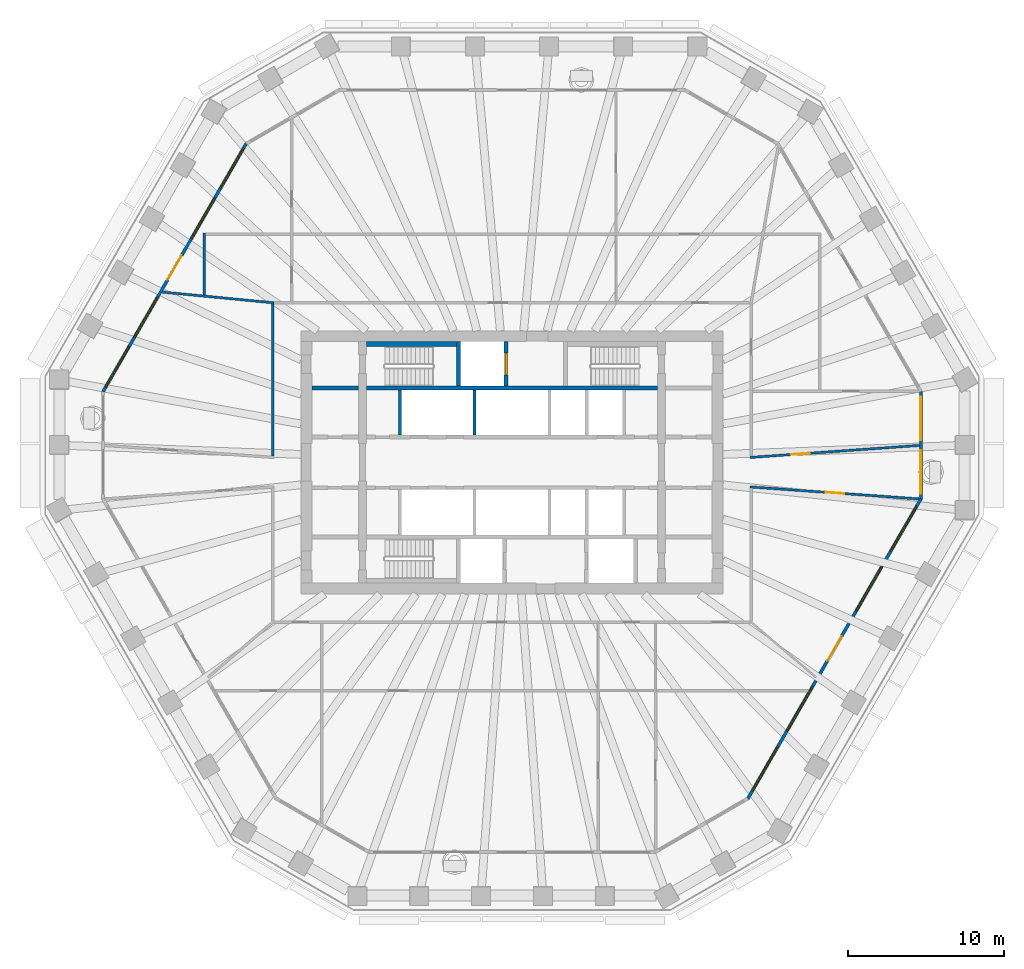
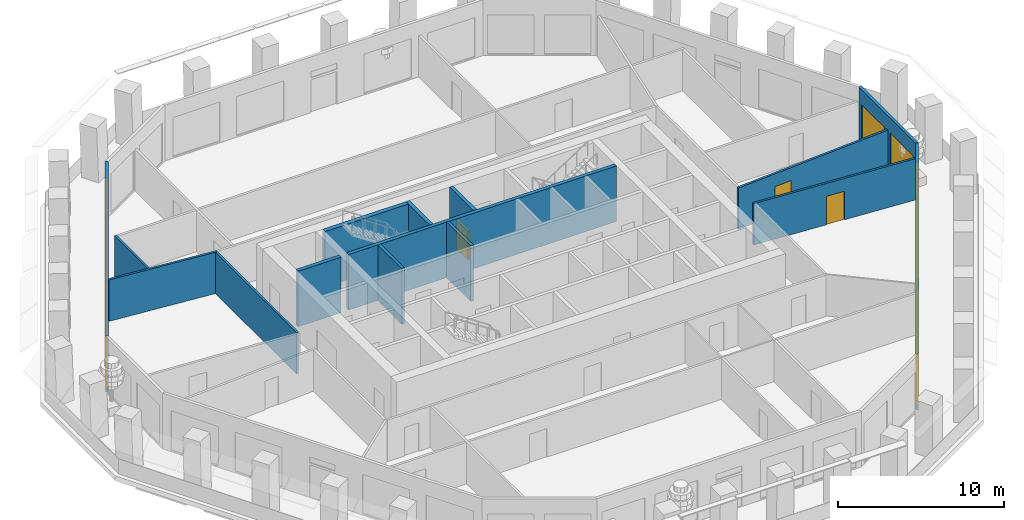
# One storey, part 6 of 12: 15 walls, 12 windows, 5 doors, 17 openings.
"""IFC4 building model written with IfcOpenShell, lengths in metres."""

from ifc_helpers import new_model, si_unit, direction, frame, frame_2d, origin, place, context, subcontext, project, spatial, polyline, rectangle, outline, extrude, material, layer, layer_set, type_object, element, fill, save


model = new_model("IFC4")

# Units and contexts
model_context = context("Model", 3, precision=1e-05, world=origin(), true_north=direction((0.0, 1.0)))
body_context = subcontext(model_context, "Body", "Model", "MODEL_VIEW")
ifc_project = project(units=[si_unit("LENGTHUNIT", "METRE"), si_unit("AREAUNIT", "SQUARE_METRE"), si_unit("VOLUMEUNIT", "CUBIC_METRE"), si_unit("PLANEANGLEUNIT", "RADIAN"), si_unit("MASSUNIT", "GRAM", prefix="KILO")], contexts=[model_context])

# Site, building, storey
site_placement = place(None, origin())
site = spatial("IfcSite", under=ifc_project, at=site_placement, CompositionType="ELEMENT")
building_placement = place(site_placement, origin())
building = spatial("IfcBuilding", under=site, at=building_placement, Name="Frailejon Research Tower", CompositionType="ELEMENT")
storey_placement = place(building_placement, frame((0.0, 0.0, 180.39990234375)))
storey = spatial("IfcBuildingStorey", under=building, at=storey_placement, Name="L39", CompositionType="ELEMENT", Elevation=180.39990234375)

# Wall
ifc_material_1 = material(Name="Gypsum board and masonry partition", Category="masonry")
ifc_layer_1 = layer(ifc_material_1, 0.14990234375)
ifc_layer_set_1 = layer_set([ifc_layer_1], Name="Corridor wall EI 60, gypsum on steel studs 150")
wall_type_1 = type_object("IfcWallType", Name="Corridor wall EI 60, gypsum on steel studs 150", PredefinedType="PARTITIONING", material=ifc_layer_set_1)
wall_1_placement = place(storey_placement, frame((-15.35009765625, 0.399169921875, 0.0), z_axis=(0.0, 0.0, 1.0), x_axis=(0.0, 1.0, 0.0)))
element("IfcWall", 1, at=wall_1_placement, inside=storey, type_object=wall_type_1, Name="T:IW:L39:005", PredefinedType="PARTITIONING", context=body_context, shape_type="SweptSolid", body=[
    extrude(rectangle(XDim=9.77587890625, YDim=0.14990234375, at=frame_2d((4.887939453125, 0.0))), origin(), (0.0, 0.0, 1.0), 3.050048828125),
])

# Wall, opening, door
wall_2_placement = place(storey_placement, frame((15.275146484375, 0.31884765625, 0.0), z_axis=(0.0, 0.0, 1.0), x_axis=(0.997482737811, 0.070909715615, 0.0)))
wall_2 = element("IfcWall", 2, at=wall_2_placement, inside=storey, type_object=wall_type_1, Name="T:IW:L39:009", PredefinedType="PARTITIONING", context=body_context, shape_type="SweptSolid", body=[
    extrude(rectangle(XDim=10.90380859375, YDim=0.14990234375, at=frame_2d((5.451904296875, 0.0))), origin(), (0.0, 0.0, 1.0), 3.050048828125),
])
opening_1_placement = place(wall_2_placement, frame((2.6572265625, 0.0, 0.0)))
opening_1 = element("IfcOpeningElement", 3, at=opening_1_placement, cuts=wall_2, Name="Opening D1843", PredefinedType="OPENING", context=body_context, shape_type="SweptSolid", body=[
    extrude(rectangle(XDim=1.199951171875, YDim=2.10009765625, at=frame_2d((0.60009765625, 1.050048828125))), frame((0.0, 0.0849609375, 0.0), z_axis=(0.0, -1.0, 0.0), x_axis=(1.0, 0.0, 0.0)), (0.0, 0.0, 1.0), 0.169921875),
])
ifc_material_2 = material(Name="Timber door leaf", Category="wood")
door_type_1 = type_object("IfcDoorType", Name="Door laboratory, timber, vision panel 1200", OperationType="NOTDEFINED", PredefinedType="DOOR", material=ifc_material_2)
door_1_placement = place(opening_1_placement, origin())
door_1 = element("IfcDoor", 4, at=door_1_placement, inside=storey, type_object=door_type_1, Name="D1843", OperationType="DOUBLE_DOOR_SINGLE_SWING", OverallHeight=2.10009765625, OverallWidth=1.199951171875, PredefinedType="DOOR", context=body_context, shape_type="SweptSolid", body=[
    extrude(rectangle(XDim=1.199951171875, YDim=2.10009765625, at=frame_2d((0.60009765625, 1.050048828125))), frame((0.0, 0.02490234375, 0.0), z_axis=(0.0, -1.0, 0.0), x_axis=(1.0, 0.0, 0.0)), (0.0, 0.0, 1.0), 0.050048828125),
])
fill(opening_1, door_1)

wall_3_placement = place(storey_placement, frame((15.275146484375, -1.570556640625, 0.0), z_axis=(0.0, 0.0, 1.0), x_axis=(0.997483693062, -0.07089627688, 0.0)))
wall_3 = element("IfcWall", 5, at=wall_3_placement, inside=storey, type_object=wall_type_1, Name="T:IW:L39:010", PredefinedType="PARTITIONING", context=body_context, shape_type="SweptSolid", body=[
    extrude(rectangle(XDim=10.8818359375, YDim=0.14990234375, at=frame_2d((5.44091796875, 0.0))), origin(), (0.0, 0.0, 1.0), 3.050048828125),
])
opening_2_placement = place(wall_3_placement, frame((4.87841796875, 0.0, 0.0)))
opening_2 = element("IfcOpeningElement", 6, at=opening_2_placement, cuts=wall_3, Name="Opening D1862", PredefinedType="OPENING", context=body_context, shape_type="SweptSolid", body=[
    extrude(rectangle(XDim=1.199951171875, YDim=2.10009765625, at=frame_2d((0.60009765625, 1.050048828125))), frame((0.0, 0.0849609375, 0.0), z_axis=(0.0, -1.0, 0.0), x_axis=(1.0, 0.0, 0.0)), (0.0, 0.0, 1.0), 0.169921875),
])
ifc_material_3 = material(Name="Timber door leaf", Category="wood")
door_type_2 = type_object("IfcDoorType", Name="Door single leaf, timber, steel frame 1200", OperationType="NOTDEFINED", PredefinedType="DOOR", material=ifc_material_3)
door_2_placement = place(opening_2_placement, origin())
door_2 = element("IfcDoor", 7, at=door_2_placement, inside=storey, type_object=door_type_2, Name="D1862", OperationType="DOUBLE_DOOR_SINGLE_SWING", OverallHeight=2.10009765625, OverallWidth=1.199951171875, PredefinedType="DOOR", context=body_context, shape_type="SweptSolid", body=[
    extrude(rectangle(XDim=1.199951171875, YDim=2.10009765625, at=frame_2d((0.60009765625, 1.050048828125))), frame((0.0, 0.02490234375, 0.0), z_axis=(0.0, -1.0, 0.0), x_axis=(1.0, 0.0, 0.0)), (0.0, 0.0, 1.0), 0.050048828125),
])
fill(opening_2, door_2)

# Walls
ifc_material_4 = material(Name="Gypsum board and masonry partition", Category="masonry")
ifc_layer_2 = layer(ifc_material_4, 0.14990234375)
ifc_layer_set_2 = layer_set([ifc_layer_2], Name="Laboratory partition, blockwork 150")
wall_type_2 = type_object("IfcWallType", Name="Laboratory partition, blockwork 150", PredefinedType="PARTITIONING", material=ifc_layer_set_2)
wall_4_placement = place(storey_placement, frame((-19.75, 10.75, 0.0), z_axis=(0.0, 0.0, 1.0), x_axis=(0.0, 1.0, 0.0)))
element("IfcWall", 8, at=wall_4_placement, inside=storey, type_object=wall_type_2, Name="T:IW:L39:017", PredefinedType="PARTITIONING", context=body_context, shape_type="SweptSolid", body=[
    extrude(rectangle(XDim=3.97509765625, YDim=0.14990234375, at=frame_2d((1.987548828125, 0.0))), origin(), (0.0, 0.0, 1.0), 3.050048828125),
])
wall_5_placement = place(storey_placement, frame((-22.445556640625, 10.935302734375, 0.0), z_axis=(0.0, 0.0, 1.0), x_axis=(0.995370012711, -0.096117312678, 0.0)))
element("IfcWall", 9, at=wall_5_placement, inside=storey, type_object=wall_type_2, Name="T:IW:L39:018", PredefinedType="PARTITIONING", context=body_context, shape_type="SweptSolid", body=[
    extrude(rectangle(XDim=7.20361328125, YDim=0.14990234375, at=frame_2d((3.601806640625, 0.0))), origin(), (0.0, 0.0, 1.0), 3.050048828125),
])
ifc_material_5 = material(Name="Concrete C60/75", Category="concrete")
ifc_layer_3 = layer(ifc_material_5, 0.199951171875)
ifc_layer_set_3 = layer_set([ifc_layer_3], Name="Shaft wall 200 C60/75")
wall_type_3 = type_object("IfcWallType", Name="Shaft wall 200 C60/75", PredefinedType="SOLIDWALL", material=ifc_layer_set_3)
for number, where, z_axis, x_axis, name in (
    (10, (-7.199951171875, 1.75, 0.0), (0.0, 0.0, 1.0), (0.0, 1.0, 0.0), "Shaft wall"),
    (11, (-2.39990234375, 1.75, 0.0), (0.0, 0.0, 1.0), (0.0, 1.0, 0.0), "Shaft wall"),
):
    element("IfcWall", number, at=place(storey_placement, frame(where, z_axis=z_axis, x_axis=x_axis)), inside=storey, type_object=wall_type_3, Name=name, PredefinedType="SOLIDWALL", context=body_context, shape_type="SweptSolid", body=[
        extrude(rectangle(XDim=2.89990234375, YDim=0.199951171875, at=frame_2d((1.449951171875, 0.0))), origin(), (0.0, 0.0, 1.0), 4.10009765625),
    ])
ifc_material_6 = material(Name="Concrete C60/75", Category="concrete")
ifc_layer_4 = layer(ifc_material_6, 0.25)
ifc_layer_set_4 = layer_set([ifc_layer_4], Name="Shaft wall 250 C60/75")
wall_type_4 = type_object("IfcWallType", Name="Shaft wall 250 C60/75", PredefinedType="SOLIDWALL", material=ifc_layer_set_4)
wall_6_placement = place(storey_placement, frame((-12.85009765625, 4.77490234375, 0.0), z_axis=(0.0, 0.0, 1.0), x_axis=(1.0, 0.0, 0.0)))
element("IfcWall", 12, at=wall_6_placement, inside=storey, type_object=wall_type_4, Name="Shaft wall", PredefinedType="SOLIDWALL", context=body_context, shape_type="SweptSolid", body=[
    extrude(rectangle(XDim=3.0, YDim=0.25, at=frame_2d((1.5, 0.0))), origin(), (0.0, 0.0, 1.0), 4.10009765625),
])
wall_7_placement = place(storey_placement, frame((-9.35009765625, 4.77490234375, 0.0), z_axis=(0.0, 0.0, 1.0), x_axis=(1.0, 0.0, 0.0)))
element("IfcWall", 13, at=wall_7_placement, inside=storey, type_object=wall_type_4, Name="Shaft wall", PredefinedType="SOLIDWALL", context=body_context, shape_type="SweptSolid", body=[
    extrude(rectangle(XDim=18.7001953125, YDim=0.25, at=frame_2d((9.35009765625, 0.0))), origin(), (0.0, 0.0, 1.0), 4.10009765625),
])
wall_8_placement = place(storey_placement, frame((-3.425048828125, 4.89990234375, 0.0), z_axis=(0.0, 0.0, 1.0), x_axis=(0.0, 1.0, 0.0)))
element("IfcWall", 14, at=wall_8_placement, inside=storey, type_object=wall_type_4, Name="Shaft wall", PredefinedType="SOLIDWALL", context=body_context, shape_type="SweptSolid", body=[
    extrude(rectangle(XDim=2.85009765625, YDim=0.25, at=frame_2d((1.425048828125, 0.0))), origin(), (0.0, 0.0, 1.0), 4.10009765625),
])

# Wall, opening, door
wall_9_placement = place(storey_placement, frame((-0.375, 4.89990234375, 0.0), z_axis=(0.0, 0.0, 1.0), x_axis=(0.0, 1.0, 0.0)))
wall_9 = element("IfcWall", 15, at=wall_9_placement, inside=storey, type_object=wall_type_4, Name="Shaft wall", PredefinedType="SOLIDWALL", context=body_context, shape_type="SweptSolid", body=[
    extrude(rectangle(XDim=2.85009765625, YDim=0.25, at=frame_2d((1.425048828125, 0.0))), origin(), (0.0, 0.0, 1.0), 4.10009765625),
])
opening_3_placement = place(wall_9_placement, frame((0.72509765625, 0.0, 0.0)))
opening_3 = element("IfcOpeningElement", 16, at=opening_3_placement, cuts=wall_9, Name="Opening LD2", PredefinedType="OPENING", context=body_context, shape_type="SweptSolid", body=[
    extrude(rectangle(XDim=1.39990234375, YDim=2.10009765625, at=frame_2d((0.699951171875, 1.050048828125))), frame((0.0, 0.135009765625, 0.0), z_axis=(0.0, -1.0, 0.0), x_axis=(1.0, 0.0, 0.0)), (0.0, 0.0, 1.0), 0.27001953125),
])
ifc_material_7 = material(Name="Stainless steel", Category="steel")
door_type_3 = type_object("IfcDoorType", Name="Goods landing door", OperationType="DOUBLE_DOOR_SLIDING", PredefinedType="DOOR", material=ifc_material_7)
door_3_placement = place(opening_3_placement, origin())
door_3 = element("IfcDoor", 17, at=door_3_placement, inside=storey, type_object=door_type_3, Name="Lift landing door", OperationType="DOUBLE_DOOR_SLIDING", OverallHeight=2.10009765625, OverallWidth=1.39990234375, PredefinedType="DOOR", context=body_context, shape_type="SweptSolid", body=[
    extrude(rectangle(XDim=1.39990234375, YDim=2.10009765625, at=frame_2d((0.699951171875, 1.050048828125))), frame((0.0, 0.074951171875, 0.0), z_axis=(0.0, -1.0, 0.0), x_axis=(1.0, 0.0, 0.0)), (0.0, 0.0, 1.0), 0.14990234375),
])
fill(opening_3, door_3)

# Wall
ifc_material_8 = material(Name="Concrete C60/75", Category="concrete")
ifc_layer_5 = layer(ifc_material_8, 0.300048828125)
ifc_layer_set_5 = layer_set([ifc_layer_5], Name="Shaft wall 300 C60/75")
wall_type_5 = type_object("IfcWallType", Name="Shaft wall 300 C60/75", PredefinedType="SOLIDWALL", material=ifc_layer_set_5)
wall_10_placement = place(storey_placement, frame((-9.35009765625, 7.60009765625, 0.0), z_axis=(0.0, 0.0, 1.0), x_axis=(1.0, 0.0, 0.0)))
element("IfcWall", 18, at=wall_10_placement, inside=storey, type_object=wall_type_5, Name="Shaft wall", PredefinedType="SOLIDWALL", context=body_context, shape_type="SweptSolid", body=[
    extrude(rectangle(XDim=5.800048828125, YDim=0.300048828125, at=frame_2d((2.89990234375, 0.0))), origin(), (0.0, 0.0, 1.0), 4.10009765625),
])

# Wall, openings, windows
ifc_material_9 = material(Name="Concrete C40/50 precast window wall panel", Category="concrete")
ifc_layer_6 = layer(ifc_material_9, 0.199951171875)
ifc_layer_set_6 = layer_set([ifc_layer_6], Name="Window wall 200")
wall_type_6 = type_object("IfcWallType", Name="Window wall 200", PredefinedType="SOLIDWALL", material=ifc_layer_set_6)
wall_11_placement = place(storey_placement, frame((26.25146484375, -2.3310546875, 0.0), z_axis=(0.0, 0.0, 1.0), x_axis=(0.0, 1.0, 0.0)))
wall_11 = element("IfcWall", 19, at=wall_11_placement, inside=storey, type_object=wall_type_6, Name="Exterior wall L39", PredefinedType="SOLIDWALL", context=body_context, shape_type="SweptSolid", body=[
    extrude(outline(polyline([(-0.02685546875, -0.10009765625), (1.1279296875, -0.10009765625), (2.282470703125, -0.10009765625), (3.437255859375, -0.10009765625), (4.592041015625, -0.10009765625), (5.74658203125, -0.10009765625), (6.9013671875, -0.10009765625), (6.84765625, 0.10009765625), (5.7109375, 0.10009765625), (4.573974609375, 0.10009765625), (3.437255859375, 0.10009765625), (2.300537109375, 0.10009765625), (1.16357421875, 0.10009765625), (0.02685546875, 0.10009765625), (-0.02685546875, -0.10009765625)])), origin(), (0.0, 0.0, 1.0), 4.10009765625),
])
opening_4_placement = place(wall_11_placement, frame((0.318603515625, 0.0, 0.10009765625)))
opening_4 = element("IfcOpeningElement", 20, at=opening_4_placement, cuts=wall_11, Name="Opening W3", PredefinedType="OPENING", context=body_context, shape_type="SweptSolid", body=[
    extrude(rectangle(XDim=2.800048828125, YDim=2.89990234375, at=frame_2d((1.39990234375, 1.449951171875))), frame((0.0, 0.10986328125, 0.0), z_axis=(0.0, -1.0, 0.0), x_axis=(1.0, 0.0, 0.0)), (0.0, 0.0, 1.0), 0.219970703125),
])
opening_5_placement = place(wall_11_placement, frame((3.756103515625, 0.0, 0.10009765625)))
opening_5 = element("IfcOpeningElement", 21, at=opening_5_placement, cuts=wall_11, Name="Opening W3", PredefinedType="OPENING", context=body_context, shape_type="SweptSolid", body=[
    extrude(rectangle(XDim=2.800048828125, YDim=2.89990234375, at=frame_2d((1.39990234375, 1.449951171875))), frame((0.0, 0.10986328125, 0.0), z_axis=(0.0, -1.0, 0.0), x_axis=(1.0, 0.0, 0.0)), (0.0, 0.0, 1.0), 0.219970703125),
])
ifc_material_10 = material(Name="Aluminium framed double glazing", Category="aluminium")
window_type_1 = type_object("IfcWindowType", Name="Window 2800x2900", PartitioningType="SINGLE_PANEL", PredefinedType="WINDOW", material=ifc_material_10)
window_1_placement = place(opening_4_placement, origin())
window_1 = element("IfcWindow", 22, at=window_1_placement, inside=storey, type_object=window_type_1, Name="Window L39", OverallHeight=2.89990234375, OverallWidth=2.800048828125, PartitioningType="SINGLE_PANEL", PredefinedType="WINDOW", context=body_context, shape_type="SweptSolid", body=[
    extrude(rectangle(XDim=2.800048828125, YDim=2.89990234375, at=frame_2d((1.39990234375, 1.449951171875))), frame((0.0, 0.030029296875, 0.0), z_axis=(0.0, -1.0, 0.0), x_axis=(1.0, 0.0, 0.0)), (0.0, 0.0, 1.0), 0.06005859375),
])
fill(opening_4, window_1)
window_2_placement = place(opening_5_placement, origin())
window_2 = element("IfcWindow", 23, at=window_2_placement, inside=storey, type_object=window_type_1, Name="Window L39", OverallHeight=2.89990234375, OverallWidth=2.800048828125, PartitioningType="SINGLE_PANEL", PredefinedType="WINDOW", context=body_context, shape_type="SweptSolid", body=[
    extrude(rectangle(XDim=2.800048828125, YDim=2.89990234375, at=frame_2d((1.39990234375, 1.449951171875))), frame((0.0, 0.030029296875, 0.0), z_axis=(0.0, -1.0, 0.0), x_axis=(1.0, 0.0, 0.0)), (0.0, 0.0, 1.0), 0.06005859375),
])
fill(opening_5, window_2)

# Wall, openings, door, windows
wall_12_placement = place(storey_placement, frame((-17.060546875, 20.462646484375, 0.0), z_axis=(0.0, 0.0, 1.0), x_axis=(-0.499998761798, -0.866026118659, 0.0)))
wall_12 = element("IfcWall", 24, at=wall_12_placement, inside=storey, type_object=wall_type_6, Name="Exterior wall L39", PredefinedType="SOLIDWALL", context=body_context, shape_type="SweptSolid", body=[
    extrude(outline(polyline([(-0.02685546875, -0.10009765625), (0.997314453125, -0.10009765625), (2.021484375, -0.10009765625), (3.045654296875, -0.10009765625), (4.06982421875, -0.10009765625), (5.09423828125, -0.10009765625), (6.118408203125, -0.10009765625), (7.142578125, -0.10009765625), (8.166748046875, -0.10009765625), (9.19091796875, -0.10009765625), (10.215087890625, -0.10009765625), (11.2392578125, -0.10009765625), (12.263427734375, -0.10009765625), (13.28759765625, -0.10009765625), (14.31201171875, -0.10009765625), (15.336181640625, -0.10009765625), (16.3603515625, -0.10009765625), (17.384521484375, -0.10009765625), (18.40869140625, -0.10009765625), (18.35498046875, 0.10009765625), (17.336669921875, 0.10009765625), (16.318603515625, 0.10009765625), (15.30029296875, 0.10009765625), (14.281982421875, 0.10009765625), (13.263916015625, 0.10009765625), (12.24560546875, 0.10009765625), (11.227294921875, 0.10009765625), (10.209228515625, 0.10009765625), (9.19091796875, 0.10009765625), (8.172607421875, 0.10009765625), (7.154541015625, 0.10009765625), (6.13623046875, 0.10009765625), (5.117919921875, 0.10009765625), (4.099853515625, 0.10009765625), (3.08154296875, 0.10009765625), (2.063232421875, 0.10009765625), (1.045166015625, 0.10009765625), (0.02685546875, 0.10009765625), (-0.02685546875, -0.10009765625)])), origin(), (0.0, 0.0, 1.0), 4.10009765625),
])
opening_6_placement = place(wall_12_placement, frame((0.338134765625, 0.0, 0.10009765625)))
opening_6 = element("IfcOpeningElement", 25, at=opening_6_placement, cuts=wall_12, Name="Opening W4", PredefinedType="OPENING", context=body_context, shape_type="SweptSolid", body=[
    extrude(rectangle(XDim=3.0, YDim=2.89990234375, at=frame_2d((1.5, 1.449951171875))), frame((0.0, 0.10986328125, 0.0), z_axis=(0.0, -1.0, 0.0), x_axis=(1.0, 0.0, 0.0)), (0.0, 0.0, 1.0), 0.219970703125),
])
opening_7_placement = place(wall_12_placement, frame((4.0146484375, 0.0, 0.10009765625)))
opening_7 = element("IfcOpeningElement", 26, at=opening_7_placement, cuts=wall_12, Name="Opening W4", PredefinedType="OPENING", context=body_context, shape_type="SweptSolid", body=[
    extrude(rectangle(XDim=3.0, YDim=2.89990234375, at=frame_2d((1.5, 1.449951171875))), frame((0.0, 0.10986328125, 0.0), z_axis=(0.0, -1.0, 0.0), x_axis=(1.0, 0.0, 0.0)), (0.0, 0.0, 1.0), 0.219970703125),
])
opening_8_placement = place(wall_12_placement, frame((8.291015625, 0.0, 0.0)))
opening_8 = element("IfcOpeningElement", 27, at=opening_8_placement, cuts=wall_12, Name="Opening LG39-3", PredefinedType="OPENING", context=body_context, shape_type="SweptSolid", body=[
    extrude(rectangle(XDim=1.800048828125, YDim=2.39990234375, at=frame_2d((0.89990234375, 1.199951171875))), frame((0.0, 0.10986328125, 0.0), z_axis=(0.0, -1.0, 0.0), x_axis=(1.0, 0.0, 0.0)), (0.0, 0.0, 1.0), 0.219970703125),
])
opening_9_placement = place(wall_12_placement, frame((8.291015625, 0.0, 2.550048828125)))
opening_9 = element("IfcOpeningElement", 28, at=opening_9_placement, cuts=wall_12, Name="Opening W1", PredefinedType="OPENING", context=body_context, shape_type="SweptSolid", body=[
    extrude(rectangle(XDim=1.800048828125, YDim=0.449951171875, at=frame_2d((0.89990234375, 0.22509765625))), frame((0.0, 0.10986328125, 0.0), z_axis=(0.0, -1.0, 0.0), x_axis=(1.0, 0.0, 0.0)), (0.0, 0.0, 1.0), 0.219970703125),
])
opening_10_placement = place(wall_12_placement, frame((11.3671875, 0.0, 0.10009765625)))
opening_10 = element("IfcOpeningElement", 29, at=opening_10_placement, cuts=wall_12, Name="Opening W4", PredefinedType="OPENING", context=body_context, shape_type="SweptSolid", body=[
    extrude(rectangle(XDim=3.0, YDim=2.89990234375, at=frame_2d((1.5, 1.449951171875))), frame((0.0, 0.10986328125, 0.0), z_axis=(0.0, -1.0, 0.0), x_axis=(1.0, 0.0, 0.0)), (0.0, 0.0, 1.0), 0.219970703125),
])
opening_11_placement = place(wall_12_placement, frame((15.043701171875, 0.0, 0.10009765625)))
opening_11 = element("IfcOpeningElement", 30, at=opening_11_placement, cuts=wall_12, Name="Opening W4", PredefinedType="OPENING", context=body_context, shape_type="SweptSolid", body=[
    extrude(rectangle(XDim=3.0, YDim=2.89990234375, at=frame_2d((1.5, 1.449951171875))), frame((0.0, 0.10986328125, 0.0), z_axis=(0.0, -1.0, 0.0), x_axis=(1.0, 0.0, 0.0)), (0.0, 0.0, 1.0), 0.219970703125),
])
ifc_material_11 = material(Name="Aluminium framed glazed door leaf", Category="aluminium")
door_type_4 = type_object("IfcDoorType", Name="Loggia door 1800x2400", OperationType="DOUBLE_DOOR_SINGLE_SWING", PredefinedType="DOOR", material=ifc_material_11)
door_4_placement = place(opening_8_placement, origin())
door_4 = element("IfcDoor", 31, at=door_4_placement, inside=storey, type_object=door_type_4, Name="Door LG39-3", OperationType="DOUBLE_DOOR_SINGLE_SWING", OverallHeight=2.39990234375, OverallWidth=1.800048828125, PredefinedType="DOOR", context=body_context, shape_type="SweptSolid", body=[
    extrude(rectangle(XDim=1.800048828125, YDim=2.39990234375, at=frame_2d((0.89990234375, 1.199951171875))), frame((0.0, 0.02490234375, 0.0), z_axis=(0.0, -1.0, 0.0), x_axis=(1.0, 0.0, 0.0)), (0.0, 0.0, 1.0), 0.050048828125),
])
fill(opening_8, door_4)
ifc_material_12 = material(Name="Aluminium framed double glazing", Category="aluminium")
window_type_2 = type_object("IfcWindowType", Name="Window 1800x450", PartitioningType="SINGLE_PANEL", PredefinedType="WINDOW", material=ifc_material_12)
window_3_placement = place(opening_9_placement, origin())
window_3 = element("IfcWindow", 32, at=window_3_placement, inside=storey, type_object=window_type_2, Name="Window L39", OverallHeight=0.449951171875, OverallWidth=1.800048828125, PartitioningType="SINGLE_PANEL", PredefinedType="WINDOW", context=body_context, shape_type="SweptSolid", body=[
    extrude(rectangle(XDim=1.800048828125, YDim=0.449951171875, at=frame_2d((0.89990234375, 0.22509765625))), frame((0.0, 0.030029296875, 0.0), z_axis=(0.0, -1.0, 0.0), x_axis=(1.0, 0.0, 0.0)), (0.0, 0.0, 1.0), 0.06005859375),
])
fill(opening_9, window_3)
ifc_material_13 = material(Name="Aluminium framed double glazing", Category="aluminium")
window_type_3 = type_object("IfcWindowType", Name="Window 3000x2900", PartitioningType="SINGLE_PANEL", PredefinedType="WINDOW", material=ifc_material_13)
window_4_placement = place(opening_6_placement, origin())
window_4 = element("IfcWindow", 33, at=window_4_placement, inside=storey, type_object=window_type_3, Name="Window L39", OverallHeight=2.89990234375, OverallWidth=3.0, PartitioningType="SINGLE_PANEL", PredefinedType="WINDOW", context=body_context, shape_type="SweptSolid", body=[
    extrude(rectangle(XDim=3.0, YDim=2.89990234375, at=frame_2d((1.5, 1.449951171875))), frame((0.0, 0.030029296875, 0.0), z_axis=(0.0, -1.0, 0.0), x_axis=(1.0, 0.0, 0.0)), (0.0, 0.0, 1.0), 0.06005859375),
])
fill(opening_6, window_4)
window_5_placement = place(opening_7_placement, origin())
window_5 = element("IfcWindow", 34, at=window_5_placement, inside=storey, type_object=window_type_3, Name="Window L39", OverallHeight=2.89990234375, OverallWidth=3.0, PartitioningType="SINGLE_PANEL", PredefinedType="WINDOW", context=body_context, shape_type="SweptSolid", body=[
    extrude(rectangle(XDim=3.0, YDim=2.89990234375, at=frame_2d((1.5, 1.449951171875))), frame((0.0, 0.030029296875, 0.0), z_axis=(0.0, -1.0, 0.0), x_axis=(1.0, 0.0, 0.0)), (0.0, 0.0, 1.0), 0.06005859375),
])
fill(opening_7, window_5)
window_6_placement = place(opening_10_placement, origin())
window_6 = element("IfcWindow", 35, at=window_6_placement, inside=storey, type_object=window_type_3, Name="Window L39", OverallHeight=2.89990234375, OverallWidth=3.0, PartitioningType="SINGLE_PANEL", PredefinedType="WINDOW", context=body_context, shape_type="SweptSolid", body=[
    extrude(rectangle(XDim=3.0, YDim=2.89990234375, at=frame_2d((1.5, 1.449951171875))), frame((0.0, 0.030029296875, 0.0), z_axis=(0.0, -1.0, 0.0), x_axis=(1.0, 0.0, 0.0)), (0.0, 0.0, 1.0), 0.06005859375),
])
fill(opening_10, window_6)
window_7_placement = place(opening_11_placement, origin())
window_7 = element("IfcWindow", 36, at=window_7_placement, inside=storey, type_object=window_type_3, Name="Window L39", OverallHeight=2.89990234375, OverallWidth=3.0, PartitioningType="SINGLE_PANEL", PredefinedType="WINDOW", context=body_context, shape_type="SweptSolid", body=[
    extrude(rectangle(XDim=3.0, YDim=2.89990234375, at=frame_2d((1.5, 1.449951171875))), frame((0.0, 0.030029296875, 0.0), z_axis=(0.0, -1.0, 0.0), x_axis=(1.0, 0.0, 0.0)), (0.0, 0.0, 1.0), 0.06005859375),
])
fill(opening_11, window_7)

wall_13_placement = place(storey_placement, frame((15.14453125, -21.56884765625, 0.0), z_axis=(0.0, 0.0, 1.0), x_axis=(0.499999616612, 0.866025625133, 0.0)))
wall_13 = element("IfcWall", 37, at=wall_13_placement, inside=storey, type_object=wall_type_6, Name="Exterior wall L39", PredefinedType="SOLIDWALL", context=body_context, shape_type="SweptSolid", body=[
    extrude(outline(polyline([(-0.02685546875, -0.10009765625), (0.9853515625, -0.10009765625), (1.99755859375, -0.10009765625), (3.009521484375, -0.10009765625), (4.021728515625, -0.10009765625), (5.033935546875, -0.10009765625), (6.046142578125, -0.10009765625), (7.058349609375, -0.10009765625), (8.070556640625, -0.10009765625), (9.08251953125, -0.10009765625), (10.0947265625, -0.10009765625), (11.10693359375, -0.10009765625), (12.119140625, -0.10009765625), (13.13134765625, -0.10009765625), (14.143310546875, -0.10009765625), (15.155517578125, -0.10009765625), (16.167724609375, -0.10009765625), (17.179931640625, -0.10009765625), (18.192138671875, -0.10009765625), (19.204345703125, -0.10009765625), (20.21630859375, -0.10009765625), (21.228515625, -0.10009765625), (22.24072265625, -0.10009765625), (22.18701171875, 0.10009765625), (21.1796875, 0.10009765625), (20.17236328125, 0.10009765625), (19.165283203125, 0.10009765625), (18.157958984375, 0.10009765625), (17.150634765625, 0.10009765625), (16.143310546875, 0.10009765625), (15.135986328125, 0.10009765625), (14.128662109375, 0.10009765625), (13.12158203125, 0.10009765625), (12.1142578125, 0.10009765625), (11.10693359375, 0.10009765625), (10.099609375, 0.10009765625), (9.09228515625, 0.10009765625), (8.085205078125, 0.10009765625), (7.077880859375, 0.10009765625), (6.070556640625, 0.10009765625), (5.063232421875, 0.10009765625), (4.055908203125, 0.10009765625), (3.048583984375, 0.10009765625), (2.04150390625, 0.10009765625), (1.0341796875, 0.10009765625), (0.02685546875, 0.10009765625), (-0.02685546875, -0.10009765625)])), origin(), (0.0, 0.0, 1.0), 4.10009765625),
])
opening_12_placement = place(wall_13_placement, frame((0.5712890625, 0.0, 0.10009765625)))
opening_12 = element("IfcOpeningElement", 38, at=opening_12_placement, cuts=wall_13, Name="Opening W5", PredefinedType="OPENING", context=body_context, shape_type="SweptSolid", body=[
    extrude(rectangle(XDim=3.300048828125, YDim=2.89990234375, at=frame_2d((1.64990234375, 1.449951171875))), frame((0.0, 0.10986328125, 0.0), z_axis=(0.0, -1.0, 0.0), x_axis=(1.0, 0.0, 0.0)), (0.0, 0.0, 1.0), 0.219970703125),
])
opening_13_placement = place(wall_13_placement, frame((5.01416015625, 0.0, 0.10009765625)))
opening_13 = element("IfcOpeningElement", 39, at=opening_13_placement, cuts=wall_13, Name="Opening W5", PredefinedType="OPENING", context=body_context, shape_type="SweptSolid", body=[
    extrude(rectangle(XDim=3.300048828125, YDim=2.89990234375, at=frame_2d((1.64990234375, 1.449951171875))), frame((0.0, 0.10986328125, 0.0), z_axis=(0.0, -1.0, 0.0), x_axis=(1.0, 0.0, 0.0)), (0.0, 0.0, 1.0), 0.219970703125),
])
opening_14_placement = place(wall_13_placement, frame((10.206787109375, 0.0, 0.0)))
opening_14 = element("IfcOpeningElement", 40, at=opening_14_placement, cuts=wall_13, Name="Opening LG39-6", PredefinedType="OPENING", context=body_context, shape_type="SweptSolid", body=[
    extrude(rectangle(XDim=1.800048828125, YDim=2.39990234375, at=frame_2d((0.89990234375, 1.199951171875))), frame((0.0, 0.10986328125, 0.0), z_axis=(0.0, -1.0, 0.0), x_axis=(1.0, 0.0, 0.0)), (0.0, 0.0, 1.0), 0.219970703125),
])
opening_15_placement = place(wall_13_placement, frame((10.206787109375, 0.0, 2.550048828125)))
opening_15 = element("IfcOpeningElement", 41, at=opening_15_placement, cuts=wall_13, Name="Opening W1", PredefinedType="OPENING", context=body_context, shape_type="SweptSolid", body=[
    extrude(rectangle(XDim=1.800048828125, YDim=0.449951171875, at=frame_2d((0.89990234375, 0.22509765625))), frame((0.0, 0.10986328125, 0.0), z_axis=(0.0, -1.0, 0.0), x_axis=(1.0, 0.0, 0.0)), (0.0, 0.0, 1.0), 0.219970703125),
])
opening_16_placement = place(wall_13_placement, frame((13.899658203125, 0.0, 0.10009765625)))
opening_16 = element("IfcOpeningElement", 42, at=opening_16_placement, cuts=wall_13, Name="Opening W5", PredefinedType="OPENING", context=body_context, shape_type="SweptSolid", body=[
    extrude(rectangle(XDim=3.300048828125, YDim=2.89990234375, at=frame_2d((1.64990234375, 1.449951171875))), frame((0.0, 0.10986328125, 0.0), z_axis=(0.0, -1.0, 0.0), x_axis=(1.0, 0.0, 0.0)), (0.0, 0.0, 1.0), 0.219970703125),
])
opening_17_placement = place(wall_13_placement, frame((18.342529296875, 0.0, 0.10009765625)))
opening_17 = element("IfcOpeningElement", 43, at=opening_17_placement, cuts=wall_13, Name="Opening W5", PredefinedType="OPENING", context=body_context, shape_type="SweptSolid", body=[
    extrude(rectangle(XDim=3.300048828125, YDim=2.89990234375, at=frame_2d((1.64990234375, 1.449951171875))), frame((0.0, 0.10986328125, 0.0), z_axis=(0.0, -1.0, 0.0), x_axis=(1.0, 0.0, 0.0)), (0.0, 0.0, 1.0), 0.219970703125),
])
door_5_placement = place(opening_14_placement, origin())
door_5 = element("IfcDoor", 44, at=door_5_placement, inside=storey, type_object=door_type_4, Name="Door LG39-6", OperationType="DOUBLE_DOOR_SINGLE_SWING", OverallHeight=2.39990234375, OverallWidth=1.800048828125, PredefinedType="DOOR", context=body_context, shape_type="SweptSolid", body=[
    extrude(rectangle(XDim=1.800048828125, YDim=2.39990234375, at=frame_2d((0.89990234375, 1.199951171875))), frame((0.0, 0.02490234375, 0.0), z_axis=(0.0, -1.0, 0.0), x_axis=(1.0, 0.0, 0.0)), (0.0, 0.0, 1.0), 0.050048828125),
])
fill(opening_14, door_5)
window_8_placement = place(opening_15_placement, origin())
window_8 = element("IfcWindow", 45, at=window_8_placement, inside=storey, type_object=window_type_2, Name="Window L39", OverallHeight=0.449951171875, OverallWidth=1.800048828125, PartitioningType="SINGLE_PANEL", PredefinedType="WINDOW", context=body_context, shape_type="SweptSolid", body=[
    extrude(rectangle(XDim=1.800048828125, YDim=0.449951171875, at=frame_2d((0.89990234375, 0.22509765625))), frame((0.0, 0.030029296875, 0.0), z_axis=(0.0, -1.0, 0.0), x_axis=(1.0, 0.0, 0.0)), (0.0, 0.0, 1.0), 0.06005859375),
])
fill(opening_15, window_8)
ifc_material_14 = material(Name="Aluminium framed double glazing", Category="aluminium")
window_type_4 = type_object("IfcWindowType", Name="Window 3300x2900", PartitioningType="SINGLE_PANEL", PredefinedType="WINDOW", material=ifc_material_14)
window_9_placement = place(opening_12_placement, origin())
window_9 = element("IfcWindow", 46, at=window_9_placement, inside=storey, type_object=window_type_4, Name="Window L39", OverallHeight=2.89990234375, OverallWidth=3.300048828125, PartitioningType="SINGLE_PANEL", PredefinedType="WINDOW", context=body_context, shape_type="SweptSolid", body=[
    extrude(rectangle(XDim=3.300048828125, YDim=2.89990234375, at=frame_2d((1.64990234375, 1.449951171875))), frame((0.0, 0.030029296875, 0.0), z_axis=(0.0, -1.0, 0.0), x_axis=(1.0, 0.0, 0.0)), (0.0, 0.0, 1.0), 0.06005859375),
])
fill(opening_12, window_9)
window_10_placement = place(opening_13_placement, origin())
window_10 = element("IfcWindow", 47, at=window_10_placement, inside=storey, type_object=window_type_4, Name="Window L39", OverallHeight=2.89990234375, OverallWidth=3.300048828125, PartitioningType="SINGLE_PANEL", PredefinedType="WINDOW", context=body_context, shape_type="SweptSolid", body=[
    extrude(rectangle(XDim=3.300048828125, YDim=2.89990234375, at=frame_2d((1.64990234375, 1.449951171875))), frame((0.0, 0.030029296875, 0.0), z_axis=(0.0, -1.0, 0.0), x_axis=(1.0, 0.0, 0.0)), (0.0, 0.0, 1.0), 0.06005859375),
])
fill(opening_13, window_10)
window_11_placement = place(opening_16_placement, origin())
window_11 = element("IfcWindow", 48, at=window_11_placement, inside=storey, type_object=window_type_4, Name="Window L39", OverallHeight=2.89990234375, OverallWidth=3.300048828125, PartitioningType="SINGLE_PANEL", PredefinedType="WINDOW", context=body_context, shape_type="SweptSolid", body=[
    extrude(rectangle(XDim=3.300048828125, YDim=2.89990234375, at=frame_2d((1.64990234375, 1.449951171875))), frame((0.0, 0.030029296875, 0.0), z_axis=(0.0, -1.0, 0.0), x_axis=(1.0, 0.0, 0.0)), (0.0, 0.0, 1.0), 0.06005859375),
])
fill(opening_16, window_11)
window_12_placement = place(opening_17_placement, origin())
window_12 = element("IfcWindow", 49, at=window_12_placement, inside=storey, type_object=window_type_4, Name="Window L39", OverallHeight=2.89990234375, OverallWidth=3.300048828125, PartitioningType="SINGLE_PANEL", PredefinedType="WINDOW", context=body_context, shape_type="SweptSolid", body=[
    extrude(rectangle(XDim=3.300048828125, YDim=2.89990234375, at=frame_2d((1.64990234375, 1.449951171875))), frame((0.0, 0.030029296875, 0.0), z_axis=(0.0, -1.0, 0.0), x_axis=(1.0, 0.0, 0.0)), (0.0, 0.0, 1.0), 0.06005859375),
])
fill(opening_17, window_12)

save(model, "model.ifc")
